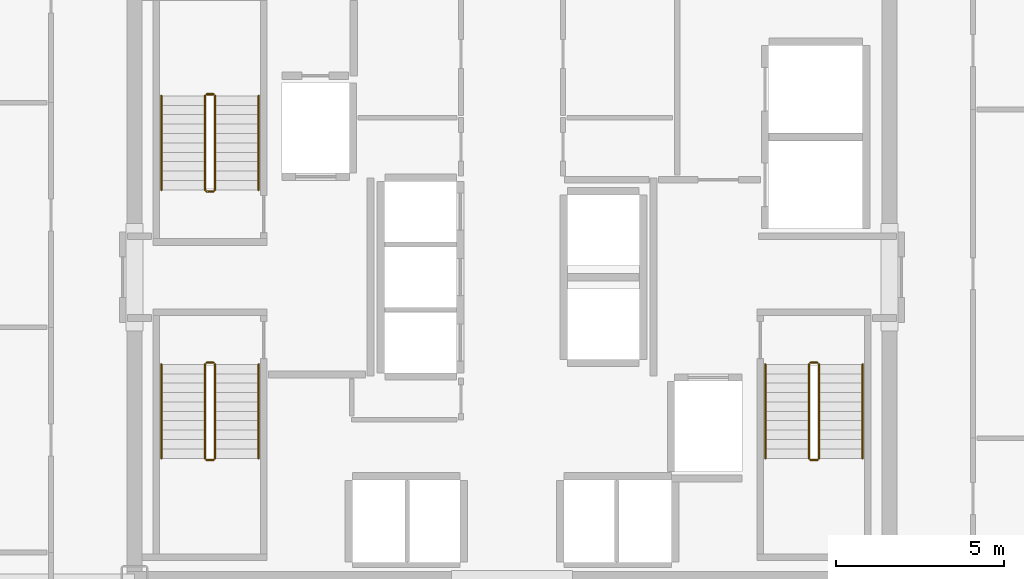
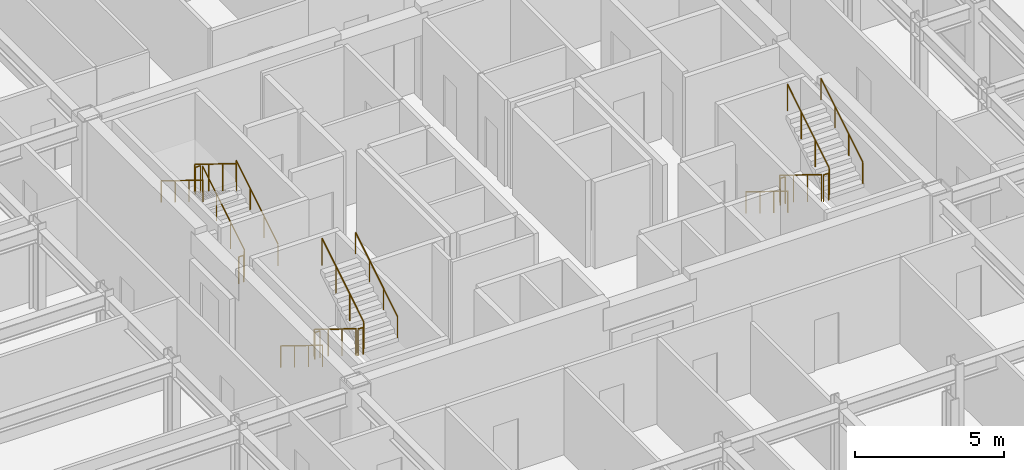
# One storey, part 16 of 17: 18 railings.
"""IFC4 building model written with IfcOpenShell, lengths in metres."""

from ifc_helpers import new_model, si_unit, direction, frame, origin, origin_2d, place, context, subcontext, project, spatial, circle, extrude, material, type_object, element, save


model = new_model("IFC4")

# Units and contexts
model_context = context("Model", 3, precision=1e-05, world=origin(), true_north=direction((0.0, 1.0)))
body_context = subcontext(model_context, "Body", "Model", "MODEL_VIEW")
ifc_project = project(units=[si_unit("LENGTHUNIT", "METRE"), si_unit("AREAUNIT", "SQUARE_METRE"), si_unit("VOLUMEUNIT", "CUBIC_METRE"), si_unit("PLANEANGLEUNIT", "RADIAN"), si_unit("MASSUNIT", "GRAM", prefix="KILO")], contexts=[model_context])

# Site, building, storey
site_placement = place(None, origin())
site = spatial("IfcSite", under=ifc_project, at=site_placement, CompositionType="ELEMENT")
building_placement = place(site_placement, origin())
building = spatial("IfcBuilding", under=site, at=building_placement, Name="Nefas-Gora Pilgrimage Tower", CompositionType="ELEMENT")
storey_placement = place(building_placement, frame((0.0, 0.0, 264.60009765625)))
storey = spatial("IfcBuildingStorey", under=building, at=storey_placement, Name="L66", CompositionType="ELEMENT", Elevation=264.60009765625)

# Railings
ifc_material_1 = material(Name="Painted galvanised steel", Category="steel")
railing_type_1 = type_object("IfcRailingType", Name="RLG-STR-GUARD-1100", PredefinedType="GUARDRAIL", material=ifc_material_1)
railing_1_placement = place(storey_placement, frame((-8.85009765625, 2.60009765625, 0.172607421875)))
element("IfcRailing", 1, at=railing_1_placement, inside=storey, type_object=railing_type_1, Name="L66 ST-01 stair guard 1", PredefinedType="GUARDRAIL", context=body_context, shape_type="SweptSolid", body=[
    extrude(circle(Radius=0.02392578125, at=origin_2d()), frame((0.0, 0.0, 1.09619140625), z_axis=(0.0, 0.851069175582, 0.525053576669), x_axis=(-1.0, 0.0, 0.0)), (0.0, 0.0, 1.0), 3.289794921875),
    extrude(circle(Radius=0.02099609375, at=origin_2d()), origin(), (0.0, 0.0, 1.0), 1.072021484375),
    extrude(circle(Radius=0.02099609375, at=origin_2d()), frame((0.0, 0.933349609375, 0.57568359375)), (0.0, 0.0, 1.0), 1.072021484375),
    extrude(circle(Radius=0.02099609375, at=origin_2d()), frame((0.0, 1.866455078125, 1.151611328125)), (0.0, 0.0, 1.0), 1.072021484375),
    extrude(circle(Radius=0.02099609375, at=origin_2d()), frame((0.0, 2.7998046875, 1.727294921875)), (0.0, 0.0, 1.0), 1.072021484375),
])
railing_2_placement = place(storey_placement, frame((-8.89990234375, 5.449951171875, 1.89990234375)))
element("IfcRailing", 2, at=railing_2_placement, inside=storey, type_object=railing_type_1, Name="L66 ST-01 stair guard 2", PredefinedType="GUARDRAIL", context=body_context, shape_type="SweptSolid", body=[
    extrude(circle(Radius=0.02392578125, at=origin_2d()), frame((0.0, 0.0, 1.09619140625), z_axis=(-1.0, 0.0, 0.0), x_axis=(0.0, -1.0, 0.0)), (0.0, 0.0, 1.0), 0.2001953125),
    extrude(circle(Radius=0.02099609375, at=origin_2d()), origin(), (0.0, 0.0, 1.0), 1.072021484375),
    extrude(circle(Radius=0.02099609375, at=origin_2d()), frame((-0.2001953125, 0.0, 0.0)), (0.0, 0.0, 1.0), 1.072021484375),
])
railing_3_placement = place(storey_placement, frame((-9.14990234375, 5.39990234375, 2.072509765625)))
element("IfcRailing", 3, at=railing_3_placement, inside=storey, type_object=railing_type_1, Name="L66 ST-01 stair guard 3", PredefinedType="GUARDRAIL", context=body_context, shape_type="SweptSolid", body=[
    extrude(circle(Radius=0.02392578125, at=origin_2d()), frame((0.0, 0.0, 1.09619140625), z_axis=(0.0, -0.851069175582, 0.525053576669), x_axis=(1.0, 0.0, 0.0)), (0.0, 0.0, 1.0), 3.289794921875),
    extrude(circle(Radius=0.02099609375, at=origin_2d()), origin(), (0.0, 0.0, 1.0), 1.072021484375),
    extrude(circle(Radius=0.02099609375, at=origin_2d()), frame((0.0, -0.933349609375, 0.57568359375)), (0.0, 0.0, 1.0), 1.072021484375),
    extrude(circle(Radius=0.02099609375, at=origin_2d()), frame((0.0, -1.866455078125, 1.151611328125)), (0.0, 0.0, 1.0), 1.072021484375),
    extrude(circle(Radius=0.02099609375, at=origin_2d()), frame((0.0, -2.7998046875, 1.727294921875)), (0.0, 0.0, 1.0), 1.072021484375),
])
railing_4_placement = place(storey_placement, frame((-8.89990234375, 2.550048828125, 0.0)))
element("IfcRailing", 4, at=railing_4_placement, inside=storey, type_object=railing_type_1, Name="L66 ST-01 stair guard 4", PredefinedType="GUARDRAIL", context=body_context, shape_type="SweptSolid", body=[
    extrude(circle(Radius=0.02392578125, at=origin_2d()), frame((0.0, 0.0, 1.09619140625), z_axis=(-1.0, 0.0, 0.0), x_axis=(0.0, -1.0, 0.0)), (0.0, 0.0, 1.0), 0.2001953125),
    extrude(circle(Radius=0.02099609375, at=origin_2d()), origin(), (0.0, 0.0, 1.0), 1.072021484375),
    extrude(circle(Radius=0.02099609375, at=origin_2d()), frame((-0.2001953125, 0.0, 0.0)), (0.0, 0.0, 1.0), 1.072021484375),
])
railing_5_placement = place(storey_placement, frame((8.85009765625, -2.60009765625, 0.172607421875)))
element("IfcRailing", 5, at=railing_5_placement, inside=storey, type_object=railing_type_1, Name="L66 ST-02 stair guard 1", PredefinedType="GUARDRAIL", context=body_context, shape_type="SweptSolid", body=[
    extrude(circle(Radius=0.02392578125, at=origin_2d()), frame((0.0, 0.0, 1.09619140625), z_axis=(0.0, -0.851069175582, 0.525053576669), x_axis=(1.0, 0.0, 0.0)), (0.0, 0.0, 1.0), 3.289794921875),
    extrude(circle(Radius=0.02099609375, at=origin_2d()), origin(), (0.0, 0.0, 1.0), 1.072021484375),
    extrude(circle(Radius=0.02099609375, at=origin_2d()), frame((0.0, -0.933349609375, 0.57568359375)), (0.0, 0.0, 1.0), 1.072021484375),
    extrude(circle(Radius=0.02099609375, at=origin_2d()), frame((0.0, -1.866455078125, 1.151611328125)), (0.0, 0.0, 1.0), 1.072021484375),
    extrude(circle(Radius=0.02099609375, at=origin_2d()), frame((0.0, -2.7998046875, 1.727294921875)), (0.0, 0.0, 1.0), 1.072021484375),
])
railing_6_placement = place(storey_placement, frame((8.89990234375, -5.449951171875, 1.89990234375)))
element("IfcRailing", 6, at=railing_6_placement, inside=storey, type_object=railing_type_1, Name="L66 ST-02 stair guard 2", PredefinedType="GUARDRAIL", context=body_context, shape_type="SweptSolid", body=[
    extrude(circle(Radius=0.02392578125, at=origin_2d()), frame((0.0, 0.0, 1.09619140625), z_axis=(1.0, 0.0, 0.0), x_axis=(0.0, 1.0, 0.0)), (0.0, 0.0, 1.0), 0.2001953125),
    extrude(circle(Radius=0.02099609375, at=origin_2d()), origin(), (0.0, 0.0, 1.0), 1.072021484375),
    extrude(circle(Radius=0.02099609375, at=origin_2d()), frame((0.2001953125, 0.0, 0.0)), (0.0, 0.0, 1.0), 1.072021484375),
])
railing_7_placement = place(storey_placement, frame((9.14990234375, -5.39990234375, 2.072509765625)))
element("IfcRailing", 7, at=railing_7_placement, inside=storey, type_object=railing_type_1, Name="L66 ST-02 stair guard 3", PredefinedType="GUARDRAIL", context=body_context, shape_type="SweptSolid", body=[
    extrude(circle(Radius=0.02392578125, at=origin_2d()), frame((0.0, 0.0, 1.09619140625), z_axis=(0.0, 0.851069175582, 0.525053576669), x_axis=(-1.0, 0.0, 0.0)), (0.0, 0.0, 1.0), 3.289794921875),
    extrude(circle(Radius=0.02099609375, at=origin_2d()), origin(), (0.0, 0.0, 1.0), 1.072021484375),
    extrude(circle(Radius=0.02099609375, at=origin_2d()), frame((0.0, 0.933349609375, 0.57568359375)), (0.0, 0.0, 1.0), 1.072021484375),
    extrude(circle(Radius=0.02099609375, at=origin_2d()), frame((0.0, 1.866455078125, 1.151611328125)), (0.0, 0.0, 1.0), 1.072021484375),
    extrude(circle(Radius=0.02099609375, at=origin_2d()), frame((0.0, 2.7998046875, 1.727294921875)), (0.0, 0.0, 1.0), 1.072021484375),
])
railing_8_placement = place(storey_placement, frame((8.89990234375, -2.550048828125, 0.0)))
element("IfcRailing", 8, at=railing_8_placement, inside=storey, type_object=railing_type_1, Name="L66 ST-02 stair guard 4", PredefinedType="GUARDRAIL", context=body_context, shape_type="SweptSolid", body=[
    extrude(circle(Radius=0.02392578125, at=origin_2d()), frame((0.0, 0.0, 1.09619140625), z_axis=(1.0, 0.0, 0.0), x_axis=(0.0, 1.0, 0.0)), (0.0, 0.0, 1.0), 0.2001953125),
    extrude(circle(Radius=0.02099609375, at=origin_2d()), origin(), (0.0, 0.0, 1.0), 1.072021484375),
    extrude(circle(Radius=0.02099609375, at=origin_2d()), frame((0.2001953125, 0.0, 0.0)), (0.0, 0.0, 1.0), 1.072021484375),
])
railing_9_placement = place(storey_placement, frame((-9.14990234375, -2.60009765625, 0.172607421875)))
element("IfcRailing", 9, at=railing_9_placement, inside=storey, type_object=railing_type_1, Name="L66 ST-03 stair guard 1", PredefinedType="GUARDRAIL", context=body_context, shape_type="SweptSolid", body=[
    extrude(circle(Radius=0.02392578125, at=origin_2d()), frame((0.0, 0.0, 1.09619140625), z_axis=(0.0, -0.851069175582, 0.525053576669), x_axis=(1.0, 0.0, 0.0)), (0.0, 0.0, 1.0), 3.289794921875),
    extrude(circle(Radius=0.02099609375, at=origin_2d()), origin(), (0.0, 0.0, 1.0), 1.072021484375),
    extrude(circle(Radius=0.02099609375, at=origin_2d()), frame((0.0, -0.933349609375, 0.57568359375)), (0.0, 0.0, 1.0), 1.072021484375),
    extrude(circle(Radius=0.02099609375, at=origin_2d()), frame((0.0, -1.866455078125, 1.151611328125)), (0.0, 0.0, 1.0), 1.072021484375),
    extrude(circle(Radius=0.02099609375, at=origin_2d()), frame((0.0, -2.7998046875, 1.727294921875)), (0.0, 0.0, 1.0), 1.072021484375),
])
railing_10_placement = place(storey_placement, frame((-9.10009765625, -5.449951171875, 1.89990234375)))
element("IfcRailing", 10, at=railing_10_placement, inside=storey, type_object=railing_type_1, Name="L66 ST-03 stair guard 2", PredefinedType="GUARDRAIL", context=body_context, shape_type="SweptSolid", body=[
    extrude(circle(Radius=0.02392578125, at=origin_2d()), frame((0.0, 0.0, 1.09619140625), z_axis=(1.0, 0.0, 0.0), x_axis=(0.0, 1.0, 0.0)), (0.0, 0.0, 1.0), 0.2001953125),
    extrude(circle(Radius=0.02099609375, at=origin_2d()), origin(), (0.0, 0.0, 1.0), 1.072021484375),
    extrude(circle(Radius=0.02099609375, at=origin_2d()), frame((0.2001953125, 0.0, 0.0)), (0.0, 0.0, 1.0), 1.072021484375),
])
railing_11_placement = place(storey_placement, frame((-8.85009765625, -5.39990234375, 2.072509765625)))
element("IfcRailing", 11, at=railing_11_placement, inside=storey, type_object=railing_type_1, Name="L66 ST-03 stair guard 3", PredefinedType="GUARDRAIL", context=body_context, shape_type="SweptSolid", body=[
    extrude(circle(Radius=0.02392578125, at=origin_2d()), frame((0.0, 0.0, 1.09619140625), z_axis=(0.0, 0.851069175582, 0.525053576669), x_axis=(-1.0, 0.0, 0.0)), (0.0, 0.0, 1.0), 3.289794921875),
    extrude(circle(Radius=0.02099609375, at=origin_2d()), origin(), (0.0, 0.0, 1.0), 1.072021484375),
    extrude(circle(Radius=0.02099609375, at=origin_2d()), frame((0.0, 0.933349609375, 0.57568359375)), (0.0, 0.0, 1.0), 1.072021484375),
    extrude(circle(Radius=0.02099609375, at=origin_2d()), frame((0.0, 1.866455078125, 1.151611328125)), (0.0, 0.0, 1.0), 1.072021484375),
    extrude(circle(Radius=0.02099609375, at=origin_2d()), frame((0.0, 2.7998046875, 1.727294921875)), (0.0, 0.0, 1.0), 1.072021484375),
])
railing_12_placement = place(storey_placement, frame((-9.10009765625, -2.550048828125, 0.0)))
element("IfcRailing", 12, at=railing_12_placement, inside=storey, type_object=railing_type_1, Name="L66 ST-03 stair guard 4", PredefinedType="GUARDRAIL", context=body_context, shape_type="SweptSolid", body=[
    extrude(circle(Radius=0.02392578125, at=origin_2d()), frame((0.0, 0.0, 1.09619140625), z_axis=(1.0, 0.0, 0.0), x_axis=(0.0, 1.0, 0.0)), (0.0, 0.0, 1.0), 0.2001953125),
    extrude(circle(Radius=0.02099609375, at=origin_2d()), origin(), (0.0, 0.0, 1.0), 1.072021484375),
    extrude(circle(Radius=0.02099609375, at=origin_2d()), frame((0.2001953125, 0.0, 0.0)), (0.0, 0.0, 1.0), 1.072021484375),
])
ifc_material_2 = material(Name="Brushed stainless steel", Category="steel")
railing_type_2 = type_object("IfcRailingType", Name="RLG-STR-HAND-900", PredefinedType="HANDRAIL", material=ifc_material_2)
railing_13_placement = place(storey_placement, frame((-7.550048828125, 2.60009765625, 0.172607421875)))
element("IfcRailing", 13, at=railing_13_placement, inside=storey, type_object=railing_type_2, Name="L66 ST-01 stair handrail 1", PredefinedType="HANDRAIL", context=body_context, shape_type="SweptSolid", body=[
    extrude(circle(Radius=0.02392578125, at=origin_2d()), frame((0.0, 0.0, 0.8759765625), z_axis=(0.0, 0.851069175582, 0.525053576669), x_axis=(-1.0, 0.0, 0.0)), (0.0, 0.0, 1.0), 3.289794921875),
    extrude(circle(Radius=0.02099609375, at=origin_2d()), origin(), (0.0, 0.0, 1.0), 0.851806640625),
    extrude(circle(Radius=0.02099609375, at=origin_2d()), frame((0.0, 0.933349609375, 0.57568359375)), (0.0, 0.0, 1.0), 0.851806640625),
    extrude(circle(Radius=0.02099609375, at=origin_2d()), frame((0.0, 1.866455078125, 1.151611328125)), (0.0, 0.0, 1.0), 0.851806640625),
    extrude(circle(Radius=0.02099609375, at=origin_2d()), frame((0.0, 2.7998046875, 1.727294921875)), (0.0, 0.0, 1.0), 0.851806640625),
])
for number, where, name in (
    (14, (-10.449951171875, 5.39990234375, 2.072509765625), "L66 ST-01 stair handrail 2"),
    (15, (7.550048828125, -2.60009765625, 0.172607421875), "L66 ST-02 stair handrail 1"),
):
    element("IfcRailing", number, at=place(storey_placement, frame(where)), inside=storey, type_object=railing_type_2, Name=name, PredefinedType="HANDRAIL", context=body_context, shape_type="SweptSolid", body=[
        extrude(circle(Radius=0.02392578125, at=origin_2d()), frame((0.0, 0.0, 0.8759765625), z_axis=(0.0, -0.851069175582, 0.525053576669), x_axis=(1.0, 0.0, 0.0)), (0.0, 0.0, 1.0), 3.289794921875),
        extrude(circle(Radius=0.02099609375, at=origin_2d()), origin(), (0.0, 0.0, 1.0), 0.851806640625),
        extrude(circle(Radius=0.02099609375, at=origin_2d()), frame((0.0, -0.933349609375, 0.57568359375)), (0.0, 0.0, 1.0), 0.851806640625),
        extrude(circle(Radius=0.02099609375, at=origin_2d()), frame((0.0, -1.866455078125, 1.151611328125)), (0.0, 0.0, 1.0), 0.851806640625),
        extrude(circle(Radius=0.02099609375, at=origin_2d()), frame((0.0, -2.7998046875, 1.727294921875)), (0.0, 0.0, 1.0), 0.851806640625),
    ])
railing_14_placement = place(storey_placement, frame((10.449951171875, -5.39990234375, 2.072509765625)))
element("IfcRailing", 16, at=railing_14_placement, inside=storey, type_object=railing_type_2, Name="L66 ST-02 stair handrail 2", PredefinedType="HANDRAIL", context=body_context, shape_type="SweptSolid", body=[
    extrude(circle(Radius=0.02392578125, at=origin_2d()), frame((0.0, 0.0, 0.8759765625), z_axis=(0.0, 0.851069175582, 0.525053576669), x_axis=(-1.0, 0.0, 0.0)), (0.0, 0.0, 1.0), 3.289794921875),
    extrude(circle(Radius=0.02099609375, at=origin_2d()), origin(), (0.0, 0.0, 1.0), 0.851806640625),
    extrude(circle(Radius=0.02099609375, at=origin_2d()), frame((0.0, 0.933349609375, 0.57568359375)), (0.0, 0.0, 1.0), 0.851806640625),
    extrude(circle(Radius=0.02099609375, at=origin_2d()), frame((0.0, 1.866455078125, 1.151611328125)), (0.0, 0.0, 1.0), 0.851806640625),
    extrude(circle(Radius=0.02099609375, at=origin_2d()), frame((0.0, 2.7998046875, 1.727294921875)), (0.0, 0.0, 1.0), 0.851806640625),
])
railing_15_placement = place(storey_placement, frame((-10.449951171875, -2.60009765625, 0.172607421875)))
element("IfcRailing", 17, at=railing_15_placement, inside=storey, type_object=railing_type_2, Name="L66 ST-03 stair handrail 1", PredefinedType="HANDRAIL", context=body_context, shape_type="SweptSolid", body=[
    extrude(circle(Radius=0.02392578125, at=origin_2d()), frame((0.0, 0.0, 0.8759765625), z_axis=(0.0, -0.851069175582, 0.525053576669), x_axis=(1.0, 0.0, 0.0)), (0.0, 0.0, 1.0), 3.289794921875),
    extrude(circle(Radius=0.02099609375, at=origin_2d()), origin(), (0.0, 0.0, 1.0), 0.851806640625),
    extrude(circle(Radius=0.02099609375, at=origin_2d()), frame((0.0, -0.933349609375, 0.57568359375)), (0.0, 0.0, 1.0), 0.851806640625),
    extrude(circle(Radius=0.02099609375, at=origin_2d()), frame((0.0, -1.866455078125, 1.151611328125)), (0.0, 0.0, 1.0), 0.851806640625),
    extrude(circle(Radius=0.02099609375, at=origin_2d()), frame((0.0, -2.7998046875, 1.727294921875)), (0.0, 0.0, 1.0), 0.851806640625),
])
railing_16_placement = place(storey_placement, frame((-7.550048828125, -5.39990234375, 2.072509765625)))
element("IfcRailing", 18, at=railing_16_placement, inside=storey, type_object=railing_type_2, Name="L66 ST-03 stair handrail 2", PredefinedType="HANDRAIL", context=body_context, shape_type="SweptSolid", body=[
    extrude(circle(Radius=0.02392578125, at=origin_2d()), frame((0.0, 0.0, 0.8759765625), z_axis=(0.0, 0.851069175582, 0.525053576669), x_axis=(-1.0, 0.0, 0.0)), (0.0, 0.0, 1.0), 3.289794921875),
    extrude(circle(Radius=0.02099609375, at=origin_2d()), origin(), (0.0, 0.0, 1.0), 0.851806640625),
    extrude(circle(Radius=0.02099609375, at=origin_2d()), frame((0.0, 0.933349609375, 0.57568359375)), (0.0, 0.0, 1.0), 0.851806640625),
    extrude(circle(Radius=0.02099609375, at=origin_2d()), frame((0.0, 1.866455078125, 1.151611328125)), (0.0, 0.0, 1.0), 0.851806640625),
    extrude(circle(Radius=0.02099609375, at=origin_2d()), frame((0.0, 2.7998046875, 1.727294921875)), (0.0, 0.0, 1.0), 0.851806640625),
])

save(model, "model.ifc")
